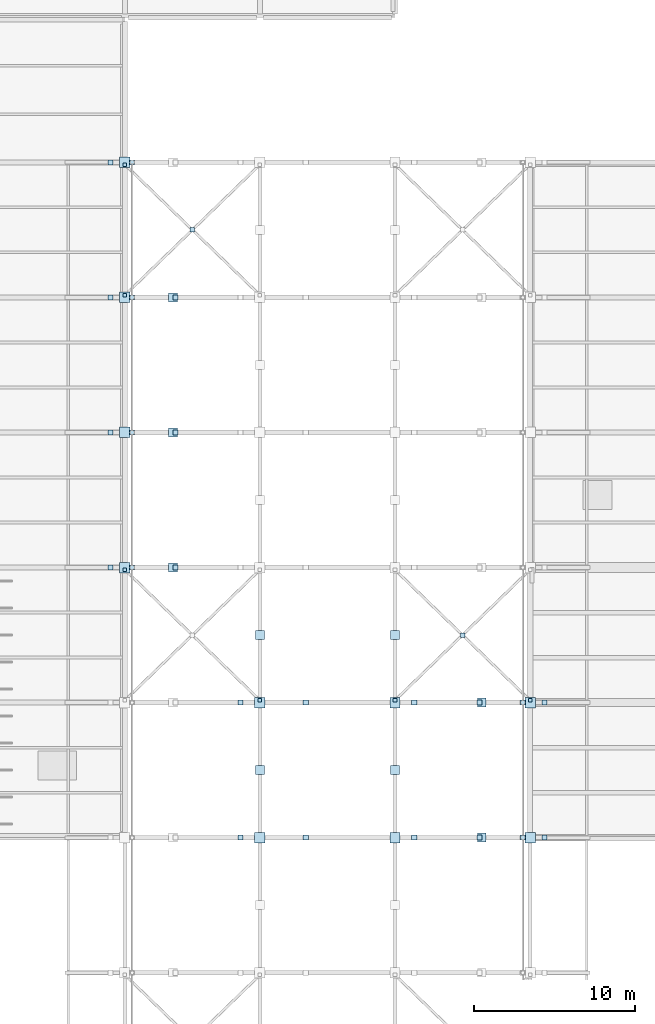
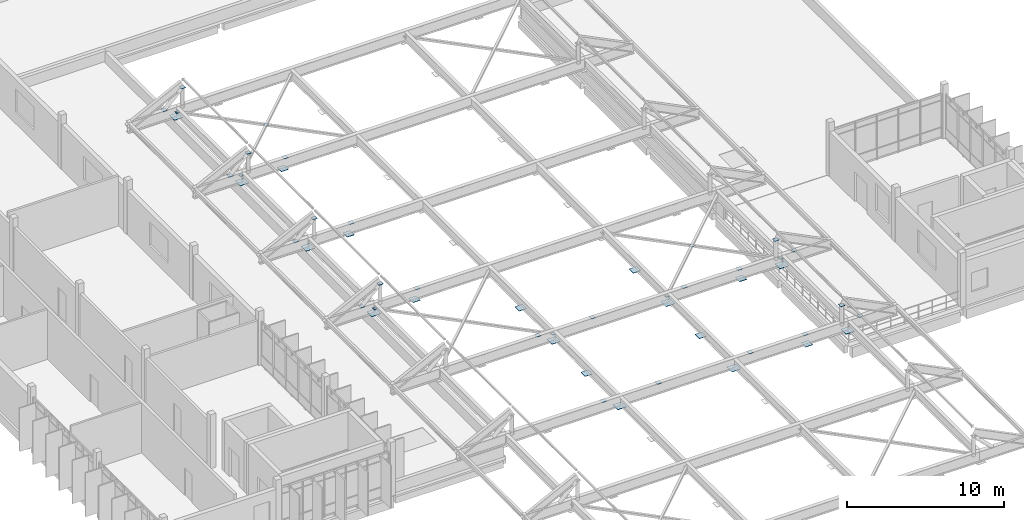
# One storey, part 31 of 41: 50 plates.
"""IFC4 building model written with IfcOpenShell, lengths in metres."""

from ifc_helpers import new_model, si_unit, direction, frame, origin, origin_2d, place, context, subcontext, project, spatial, rectangle, extrude, material, layer, layer_set, type_object, element, save


model = new_model("IFC4")

# Units and contexts
model_context = context("Model", 3, precision=1e-05, world=origin(), true_north=direction((0.0, 1.0)))
body_context = subcontext(model_context, "Body", "Model", "MODEL_VIEW")
ifc_project = project(units=[si_unit("LENGTHUNIT", "METRE"), si_unit("AREAUNIT", "SQUARE_METRE"), si_unit("VOLUMEUNIT", "CUBIC_METRE"), si_unit("PLANEANGLEUNIT", "RADIAN"), si_unit("MASSUNIT", "GRAM", prefix="KILO")], contexts=[model_context])

# Site, building, storey
site_placement = place(None, origin())
site = spatial("IfcSite", under=ifc_project, at=site_placement, CompositionType="ELEMENT")
building_placement = place(site_placement, origin())
building = spatial("IfcBuilding", under=site, at=building_placement, Name="Vireocrest Preparatory School", CompositionType="ELEMENT")
storey_placement = place(building_placement, frame((0.0, 0.0, 21.60009765625)))
storey = spatial("IfcBuildingStorey", under=building, at=storey_placement, Name="L05", CompositionType="ELEMENT", Elevation=21.60009765625)

# Plates
ifc_material = material(Name="Structural steel ASTM A572 Grade 50", Category="steel")
ifc_layer_1 = layer(ifc_material, 0.028076171875)
ifc_layer_set_1 = layer_set([ifc_layer_1], Name="Structural steel ASTM A572 Grade 50")
plate_type_1 = type_object("IfcPlateType", Name="Canopy Girder Upper Steel Node Plate 28", PredefinedType="SHEET", material=ifc_layer_set_1)
for number, where, z_axis, x_axis, name in (
    (1, (84.0, 43.800048828125, 0.9716796875), (0.0, 0.0, 1.0), (1.0, 0.0, 0.0), "Node VN2 Canopy Girder Bearing Plate W3-A2"),
    (2, (75.60009765625, 43.800048828125, 0.9716796875), (0.0, 0.0, 1.0), (1.0, 0.0, 0.0), "Node VN2 Canopy Girder Bearing Plate E3-A1"),
    (3, (92.39990234375, 43.800048828125, 0.9716796875), (0.0, 0.0, 1.0), (1.0, 0.0, 0.0), "Node VN2 Canopy Girder Bearing Plate E3-A2"),
):
    element("IfcPlate", number, at=place(storey_placement, frame(where, z_axis=z_axis, x_axis=x_axis)), inside=storey, type_object=plate_type_1, Name=name, PredefinedType="SHEET", context=body_context, shape_type="SweptSolid", body=[
        extrude(rectangle(XDim=0.64990234375, YDim=0.64990234375, at=origin_2d()), origin(), (0.0, 0.0, 1.0), 0.028076171875),
    ])
plate_1_placement = place(storey_placement, frame((89.39990234375, 43.800048828125, 0.9716796875), z_axis=(0.0, 0.0, 1.0), x_axis=(1.0, 0.0, 0.0)))
element("IfcPlate", 4, at=plate_1_placement, inside=storey, type_object=plate_type_1, Name="Node VN2 Secondary Strut Bearing Plate E3", PredefinedType="SHEET", context=body_context, shape_type="SweptSolid", body=[
    extrude(rectangle(XDim=0.550048828125, YDim=0.550048828125, at=origin_2d()), origin(), (0.0, 0.0, 1.0), 0.028076171875),
])
for number, where, z_axis, x_axis, name in (
    (5, (84.0, 52.199951171875, 0.9716796875), (0.0, 0.0, 1.0), (1.0, 0.0, 0.0), "Node VN2 Canopy Girder Bearing Plate W4-A2"),
    (6, (75.60009765625, 52.199951171875, 0.9716796875), (0.0, 0.0, 1.0), (1.0, 0.0, 0.0), "Node VN2 Canopy Girder Bearing Plate E4-A1"),
    (7, (92.39990234375, 52.199951171875, 0.9716796875), (0.0, 0.0, 1.0), (1.0, 0.0, 0.0), "Node VN2 Canopy Girder Bearing Plate E4-A2"),
):
    element("IfcPlate", number, at=place(storey_placement, frame(where, z_axis=z_axis, x_axis=x_axis)), inside=storey, type_object=plate_type_1, Name=name, PredefinedType="SHEET", context=body_context, shape_type="SweptSolid", body=[
        extrude(rectangle(XDim=0.64990234375, YDim=0.64990234375, at=origin_2d()), origin(), (0.0, 0.0, 1.0), 0.028076171875),
    ])
plate_2_placement = place(storey_placement, frame((89.39990234375, 52.199951171875, 0.9716796875), z_axis=(0.0, 0.0, 1.0), x_axis=(1.0, 0.0, 0.0)))
element("IfcPlate", 8, at=plate_2_placement, inside=storey, type_object=plate_type_1, Name="Node VN2 Secondary Strut Bearing Plate E4", PredefinedType="SHEET", context=body_context, shape_type="SweptSolid", body=[
    extrude(rectangle(XDim=0.550048828125, YDim=0.550048828125, at=origin_2d()), origin(), (0.0, 0.0, 1.0), 0.028076171875),
])
plate_3_placement = place(storey_placement, frame((67.199951171875, 60.60009765625, 0.9716796875), z_axis=(0.0, 0.0, 1.0), x_axis=(1.0, 0.0, 0.0)))
element("IfcPlate", 9, at=plate_3_placement, inside=storey, type_object=plate_type_1, Name="Node VN2 Canopy Girder Bearing Plate W5-A1", PredefinedType="SHEET", context=body_context, shape_type="SweptSolid", body=[
    extrude(rectangle(XDim=0.64990234375, YDim=0.64990234375, at=origin_2d()), origin(), (0.0, 0.0, 1.0), 0.028076171875),
])
plate_4_placement = place(storey_placement, frame((70.199951171875, 60.60009765625, 0.9716796875), z_axis=(0.0, 0.0, 1.0), x_axis=(1.0, 0.0, 0.0)))
element("IfcPlate", 10, at=plate_4_placement, inside=storey, type_object=plate_type_1, Name="Node VN2 Secondary Strut Bearing Plate W5", PredefinedType="SHEET", context=body_context, shape_type="SweptSolid", body=[
    extrude(rectangle(XDim=0.550048828125, YDim=0.550048828125, at=origin_2d()), origin(), (0.0, 0.0, 1.0), 0.028076171875),
])
plate_5_placement = place(storey_placement, frame((67.199951171875, 69.0, 0.9716796875), z_axis=(0.0, 0.0, 1.0), x_axis=(1.0, 0.0, 0.0)))
element("IfcPlate", 11, at=plate_5_placement, inside=storey, type_object=plate_type_1, Name="Node VN2 Canopy Girder Bearing Plate W6-A1", PredefinedType="SHEET", context=body_context, shape_type="SweptSolid", body=[
    extrude(rectangle(XDim=0.64990234375, YDim=0.64990234375, at=origin_2d()), origin(), (0.0, 0.0, 1.0), 0.028076171875),
])
plate_6_placement = place(storey_placement, frame((70.199951171875, 69.0, 0.9716796875), z_axis=(0.0, 0.0, 1.0), x_axis=(1.0, 0.0, 0.0)))
element("IfcPlate", 12, at=plate_6_placement, inside=storey, type_object=plate_type_1, Name="Node VN2 Secondary Strut Bearing Plate W6", PredefinedType="SHEET", context=body_context, shape_type="SweptSolid", body=[
    extrude(rectangle(XDim=0.550048828125, YDim=0.550048828125, at=origin_2d()), origin(), (0.0, 0.0, 1.0), 0.028076171875),
])
plate_7_placement = place(storey_placement, frame((67.199951171875, 77.39990234375, 0.9716796875), z_axis=(0.0, 0.0, 1.0), x_axis=(1.0, 0.0, 0.0)))
element("IfcPlate", 13, at=plate_7_placement, inside=storey, type_object=plate_type_1, Name="Node VN2 Canopy Girder Bearing Plate W7-A1", PredefinedType="SHEET", context=body_context, shape_type="SweptSolid", body=[
    extrude(rectangle(XDim=0.64990234375, YDim=0.64990234375, at=origin_2d()), origin(), (0.0, 0.0, 1.0), 0.028076171875),
])
plate_8_placement = place(storey_placement, frame((70.199951171875, 77.39990234375, 0.9716796875), z_axis=(0.0, 0.0, 1.0), x_axis=(1.0, 0.0, 0.0)))
element("IfcPlate", 14, at=plate_8_placement, inside=storey, type_object=plate_type_1, Name="Node VN2 Secondary Strut Bearing Plate W7", PredefinedType="SHEET", context=body_context, shape_type="SweptSolid", body=[
    extrude(rectangle(XDim=0.550048828125, YDim=0.550048828125, at=origin_2d()), origin(), (0.0, 0.0, 1.0), 0.028076171875),
])
plate_9_placement = place(storey_placement, frame((67.199951171875, 85.800048828125, 0.9716796875), z_axis=(0.0, 0.0, 1.0), x_axis=(1.0, 0.0, 0.0)))
element("IfcPlate", 15, at=plate_9_placement, inside=storey, type_object=plate_type_1, Name="Node VN2 Canopy Girder Bearing Plate W8-A1", PredefinedType="SHEET", context=body_context, shape_type="SweptSolid", body=[
    extrude(rectangle(XDim=0.64990234375, YDim=0.64990234375, at=origin_2d()), origin(), (0.0, 0.0, 1.0), 0.028076171875),
])
for number, where, z_axis, x_axis, name in (
    (16, (75.60009765625, 48.0, 0.9716796875), (0.0, 0.0, 1.0), (1.0, 0.0, 0.0), "Node VN2 Spine Strut Cap W3"),
    (17, (84.0, 48.0, 0.9716796875), (0.0, 0.0, 1.0), (1.0, 0.0, 0.0), "Node VN2 Spine Strut Cap E3"),
    (18, (75.60009765625, 56.39990234375, 0.9716796875), (0.0, 0.0, 1.0), (1.0, 0.0, 0.0), "Node VN2 Spine Strut Cap W4"),
    (19, (84.0, 56.39990234375, 0.9716796875), (0.0, 0.0, 1.0), (1.0, 0.0, 0.0), "Node VN2 Spine Strut Cap E4"),
):
    element("IfcPlate", number, at=place(storey_placement, frame(where, z_axis=z_axis, x_axis=x_axis)), inside=storey, type_object=plate_type_1, Name=name, PredefinedType="SHEET", context=body_context, shape_type="SweptSolid", body=[
        extrude(rectangle(XDim=0.550048828125, YDim=0.550048828125, at=origin_2d()), origin(), (0.0, 0.0, 1.0), 0.028076171875),
    ])
ifc_layer_2 = layer(ifc_material, 0.02001953125)
ifc_layer_set_2 = layer_set([ifc_layer_2], Name="Structural steel ASTM A572 Grade 50")
plate_type_2 = type_object("IfcPlateType", Name="Hollow Section Steel End Cap Plate 20", PredefinedType="SHEET", material=ifc_layer_set_2)
for number, where, z_axis, x_axis, name in (
    (20, (74.39990234375, 43.800048828125, 1.804931640625), (0.0, 0.0, 1.0), (1.0, 0.0, 0.0), "Canopy Web Cap CP1-3-3B"),
    (21, (78.449951171875, 43.800048828125, 1.804931640625), (0.0, 0.0, 1.0), (1.0, 0.0, 0.0), "Canopy Web Cap CP1-3-4B"),
    (22, (85.199951171875, 43.800048828125, 1.804931640625), (0.0, 0.0, 1.0), (1.0, 0.0, 0.0), "Canopy Web Cap CP1-3-5B"),
    (23, (89.25, 43.800048828125, 1.804931640625), (0.0, 0.0, 1.0), (1.0, 0.0, 0.0), "Canopy Web Cap CP1-3-6B"),
    (24, (93.300048828125, 43.800048828125, 1.804931640625), (0.0, 0.0, 1.0), (1.0, 0.0, 0.0), "Canopy Web Cap CP1-3-7B"),
    (25, (91.949951171875, 43.800048828125, 3.10791015625), (0.0, 0.0, 1.0), (1.0, 0.0, 0.0), "Canopy Web Cap CP1-3-7T"),
    (26, (74.39990234375, 52.199951171875, 1.804931640625), (0.0, 0.0, 1.0), (1.0, 0.0, 0.0), "Canopy Web Cap CP1-4-3B"),
    (27, (78.449951171875, 52.199951171875, 1.804931640625), (0.0, 0.0, 1.0), (1.0, 0.0, 0.0), "Canopy Web Cap CP1-4-4B"),
    (28, (85.199951171875, 52.199951171875, 1.804931640625), (0.0, 0.0, 1.0), (1.0, 0.0, 0.0), "Canopy Web Cap CP1-4-5B"),
    (29, (89.25, 52.199951171875, 1.804931640625), (0.0, 0.0, 1.0), (1.0, 0.0, 0.0), "Canopy Web Cap CP1-4-6B"),
    (30, (93.300048828125, 52.199951171875, 1.804931640625), (0.0, 0.0, 1.0), (1.0, 0.0, 0.0), "Canopy Web Cap CP1-4-7B"),
    (31, (91.949951171875, 52.199951171875, 3.10791015625), (0.0, 0.0, 1.0), (1.0, 0.0, 0.0), "Canopy Web Cap CP1-4-7T"),
    (32, (66.300048828125, 60.60009765625, 1.804931640625), (0.0, 0.0, 1.0), (1.0, 0.0, 0.0), "Canopy Web Cap CP1-5-1B"),
    (33, (67.64990234375, 60.60009765625, 3.10791015625), (0.0, 0.0, 1.0), (1.0, 0.0, 0.0), "Canopy Web Cap CP1-5-1T"),
    (34, (70.35009765625, 60.60009765625, 1.804931640625), (0.0, 0.0, 1.0), (1.0, 0.0, 0.0), "Canopy Web Cap CP1-5-2B"),
    (35, (66.300048828125, 69.0, 1.804931640625), (0.0, 0.0, 1.0), (1.0, 0.0, 0.0), "Canopy Web Cap CP1-6-1B"),
    (36, (67.64990234375, 69.0, 3.10791015625), (0.0, 0.0, 1.0), (1.0, 0.0, 0.0), "Canopy Web Cap CP1-6-1T"),
    (37, (70.35009765625, 69.0, 1.804931640625), (0.0, 0.0, 1.0), (1.0, 0.0, 0.0), "Canopy Web Cap CP1-6-2B"),
    (38, (66.300048828125, 77.39990234375, 1.804931640625), (0.0, 0.0, 1.0), (1.0, 0.0, 0.0), "Canopy Web Cap CP1-7-1B"),
    (39, (67.64990234375, 77.39990234375, 3.10791015625), (0.0, 0.0, 1.0), (1.0, 0.0, 0.0), "Canopy Web Cap CP1-7-1T"),
    (40, (70.35009765625, 77.39990234375, 1.804931640625), (0.0, 0.0, 1.0), (1.0, 0.0, 0.0), "Canopy Web Cap CP1-7-2B"),
    (41, (66.300048828125, 85.800048828125, 1.804931640625), (0.0, 0.0, 1.0), (1.0, 0.0, 0.0), "Canopy Web Cap CP1-8-1B"),
    (42, (67.64990234375, 85.800048828125, 3.10791015625), (0.0, 0.0, 1.0), (1.0, 0.0, 0.0), "Canopy Web Cap CP1-8-1T"),
):
    element("IfcPlate", number, at=place(storey_placement, frame(where, z_axis=z_axis, x_axis=x_axis)), inside=storey, type_object=plate_type_2, Name=name, PredefinedType="SHEET", context=body_context, shape_type="SweptSolid", body=[
        extrude(rectangle(XDim=0.320068359375, YDim=0.320068359375, at=origin_2d()), origin(), (0.0, 0.0, 1.0), 0.02001953125),
    ])
for number, where, z_axis, x_axis, name in (
    (43, (67.199951171875, 60.4599609375, 1.407470703125), (0.0, 0.0, 1.0), (1.0, 0.0, 0.0), "Canopy Brace Cap CP1-4-WC"),
    (44, (75.60009765625, 52.340087890625, 1.407470703125), (0.0, 0.0, 1.0), (1.0, 0.0, 0.0), "Canopy Brace Cap CP1-4-WD"),
    (45, (84.0, 52.340087890625, 1.407470703125), (0.0, 0.0, 1.0), (1.0, 0.0, 0.0), "Canopy Brace Cap CP1-4-EA"),
):
    element("IfcPlate", number, at=place(storey_placement, frame(where, z_axis=z_axis, x_axis=x_axis)), inside=storey, type_object=plate_type_2, Name=name, PredefinedType="SHEET", context=body_context, shape_type="SweptSolid", body=[
        extrude(rectangle(XDim=0.219970703125, YDim=0.219970703125, at=origin_2d()), origin(), (0.0, 0.0, 1.0), 0.02001953125),
    ])
plate_10_placement = place(storey_placement, frame((88.199951171875, 56.39990234375, 1.407470703125), z_axis=(0.0, 0.0, 1.0), x_axis=(1.0, 0.0, 0.0)))
element("IfcPlate", 46, at=plate_10_placement, inside=storey, type_object=plate_type_2, Name="Canopy X-Brace Crossing Gusset CP1-4-E", PredefinedType="SHEET", context=body_context, shape_type="SweptSolid", body=[
    extrude(rectangle(XDim=0.280029296875, YDim=0.280029296875, at=origin_2d()), origin(), (0.0, 0.0, 1.0), 0.02001953125),
])
for number, where, z_axis, x_axis, name in (
    (47, (92.39990234375, 52.340087890625, 1.407470703125), (0.0, 0.0, 1.0), (1.0, 0.0, 0.0), "Canopy Brace Cap CP1-4-ED"),
    (48, (67.199951171875, 77.5400390625, 1.407470703125), (0.0, 0.0, 1.0), (1.0, 0.0, 0.0), "Canopy Brace Cap CP1-7-WA"),
):
    element("IfcPlate", number, at=place(storey_placement, frame(where, z_axis=z_axis, x_axis=x_axis)), inside=storey, type_object=plate_type_2, Name=name, PredefinedType="SHEET", context=body_context, shape_type="SweptSolid", body=[
        extrude(rectangle(XDim=0.219970703125, YDim=0.219970703125, at=origin_2d()), origin(), (0.0, 0.0, 1.0), 0.02001953125),
    ])
plate_11_placement = place(storey_placement, frame((71.39990234375, 81.60009765625, 1.407470703125), z_axis=(0.0, 0.0, 1.0), x_axis=(1.0, 0.0, 0.0)))
element("IfcPlate", 49, at=plate_11_placement, inside=storey, type_object=plate_type_2, Name="Canopy X-Brace Crossing Gusset CP1-7-W", PredefinedType="SHEET", context=body_context, shape_type="SweptSolid", body=[
    extrude(rectangle(XDim=0.280029296875, YDim=0.280029296875, at=origin_2d()), origin(), (0.0, 0.0, 1.0), 0.02001953125),
])
plate_12_placement = place(storey_placement, frame((67.199951171875, 85.659912109375, 1.407470703125), z_axis=(0.0, 0.0, 1.0), x_axis=(1.0, 0.0, 0.0)))
element("IfcPlate", 50, at=plate_12_placement, inside=storey, type_object=plate_type_2, Name="Canopy Brace Cap CP1-7-WC", PredefinedType="SHEET", context=body_context, shape_type="SweptSolid", body=[
    extrude(rectangle(XDim=0.219970703125, YDim=0.219970703125, at=origin_2d()), origin(), (0.0, 0.0, 1.0), 0.02001953125),
])

save(model, "model.ifc")
